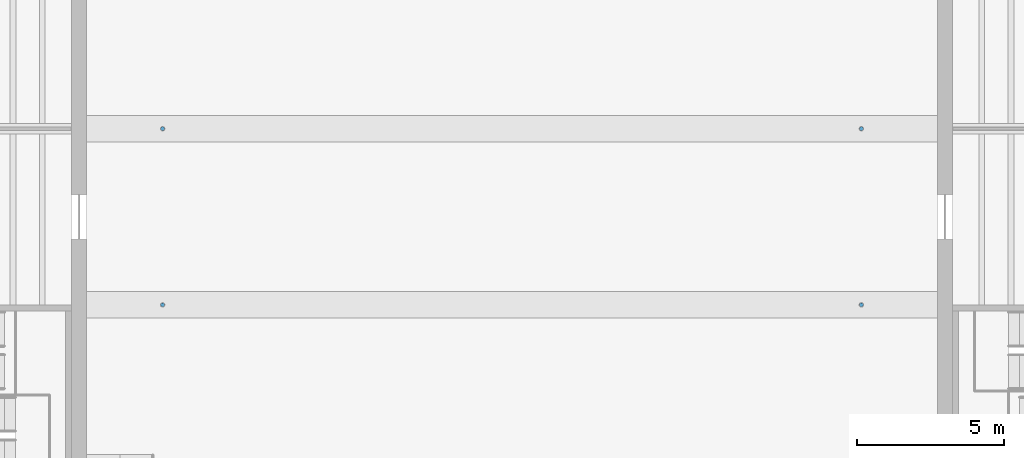
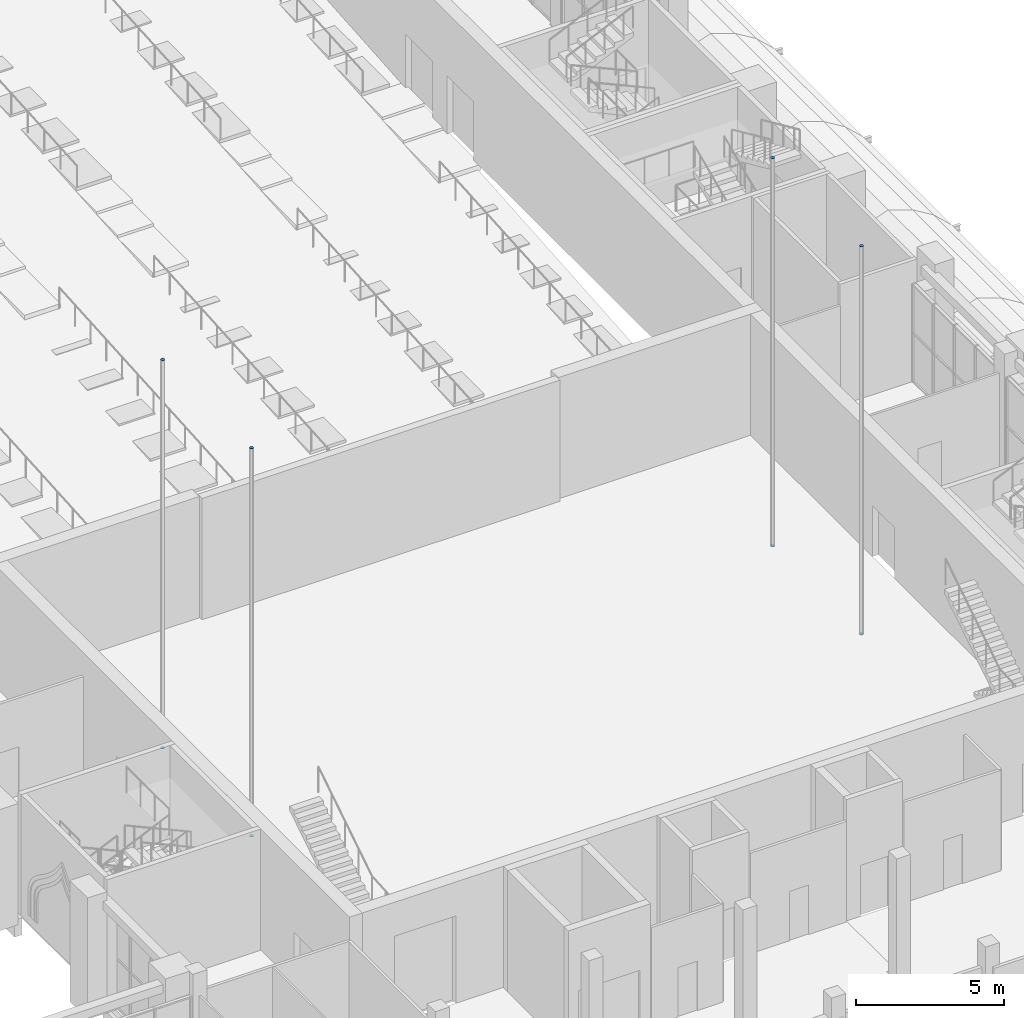
# One storey, part 51 of 80: 8 discrete accessories.
"""IFC4 building model written with IfcOpenShell, lengths in metres."""

from ifc_helpers import new_model, si_unit, direction, frame, origin, origin_2d, place, context, subcontext, project, spatial, circle, extrude, material, material_profile, profile_set, type_object, element, save


model = new_model("IFC4")

# Units and contexts
model_context = context("Model", 3, precision=1e-05, world=origin(), true_north=direction((0.0, 1.0)))
body_context = subcontext(model_context, "Body", "Model", "MODEL_VIEW")
ifc_project = project(units=[si_unit("LENGTHUNIT", "METRE"), si_unit("AREAUNIT", "SQUARE_METRE"), si_unit("VOLUMEUNIT", "CUBIC_METRE"), si_unit("PLANEANGLEUNIT", "RADIAN"), si_unit("MASSUNIT", "GRAM", prefix="KILO")], contexts=[model_context])

# Site, building, storey
site_placement = place(None, origin())
site = spatial("IfcSite", under=ifc_project, at=site_placement, CompositionType="ELEMENT")
building_placement = place(site_placement, origin())
building = spatial("IfcBuilding", under=site, at=building_placement, Name="Saffron Lane Theatres", CompositionType="ELEMENT")
storey_placement = place(building_placement, frame((0.0, 0.0, 7.0)))
storey = spatial("IfcBuildingStorey", under=building, at=storey_placement, Name="L01", CompositionType="ELEMENT", Elevation=7.0)

# Discrete accessories
ifc_material = material(Name="Steel Grade 350", Category="steel")
ifc_material_profile = material_profile(ifc_material, circle(Radius=0.06982421875, at=origin_2d()))
ifc_profile_set = profile_set([ifc_material_profile], Name="Steel Grade 350")
discrete_accessory_type = type_object("IfcDiscreteAccessoryType", Name="ST-STEEL END CAP 139.7x5.0 CHS", PredefinedType="ANCHORPLATE", material=ifc_profile_set)
for number, where, z_axis, x_axis, name in (
    (1, (21.10009765625, 42.0, -0.011962890625), (0.0, 0.0, 1.0), (1.0, 0.0, 0.0), "EC643"),
    (2, (21.10009765625, 42.0, 16.0), (0.0, 0.0, 1.0), (1.0, 0.0, 0.0), "EC644"),
    (3, (21.10009765625, 48.0, -0.011962890625), (0.0, 0.0, 1.0), (1.0, 0.0, 0.0), "EC645"),
    (4, (21.10009765625, 48.0, 16.0), (0.0, 0.0, 1.0), (1.0, 0.0, 0.0), "EC646"),
    (5, (44.89990234375, 42.0, -0.011962890625), (0.0, 0.0, 1.0), (1.0, 0.0, 0.0), "EC647"),
    (6, (44.89990234375, 42.0, 16.0), (0.0, 0.0, 1.0), (1.0, 0.0, 0.0), "EC648"),
    (7, (44.89990234375, 48.0, -0.011962890625), (0.0, 0.0, 1.0), (1.0, 0.0, 0.0), "EC649"),
    (8, (44.89990234375, 48.0, 16.0), (0.0, 0.0, 1.0), (1.0, 0.0, 0.0), "EC650"),
):
    element("IfcDiscreteAccessory", number, at=place(storey_placement, frame(where, z_axis=z_axis, x_axis=x_axis)), inside=storey, type_object=discrete_accessory_type, Name=name, PredefinedType="ANCHORPLATE", context=body_context, shape_type="SweptSolid", body=[
        extrude(circle(Radius=0.06982421875, at=origin_2d()), origin(), (0.0, 0.0, 1.0), 0.011962890625),
    ])

save(model, "model.ifc")
